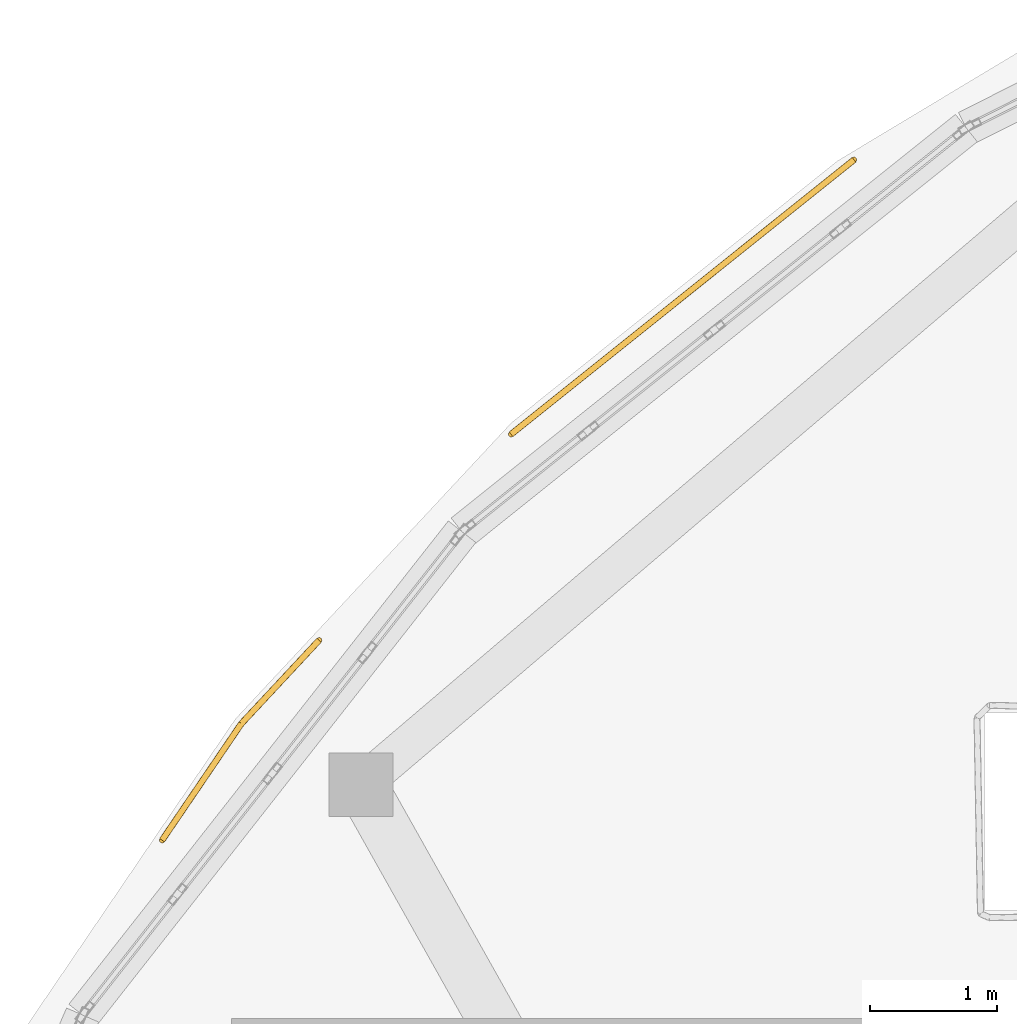
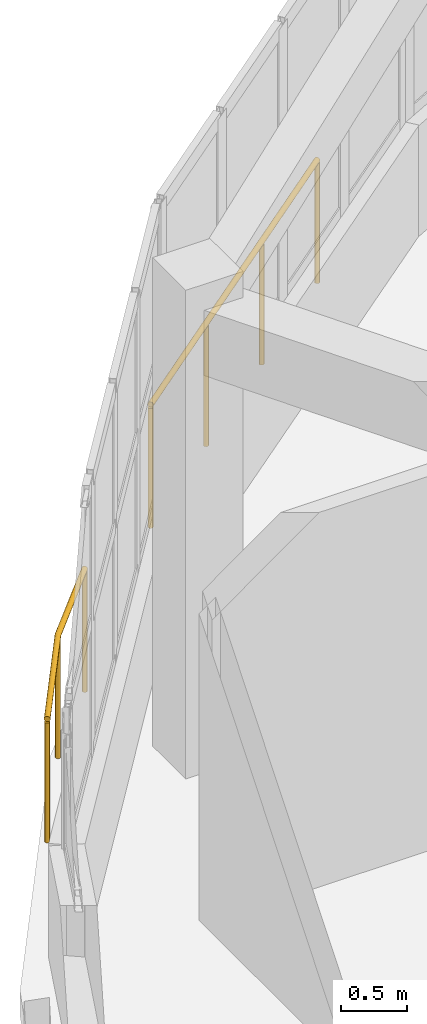
# One storey, part 38 of 38: 2 railings.
"""IFC4 building model written with IfcOpenShell, lengths in metres."""

from ifc_helpers import new_model, si_unit, direction, frame, origin, origin_2d, place, context, subcontext, project, spatial, circle, extrude, material, type_object, element, save


model = new_model("IFC4")

# Units and contexts
model_context = context("Model", 3, precision=1e-05, world=origin(), true_north=direction((0.0, 1.0)))
body_context = subcontext(model_context, "Body", "Model", "MODEL_VIEW")
ifc_project = project(units=[si_unit("LENGTHUNIT", "METRE"), si_unit("AREAUNIT", "SQUARE_METRE"), si_unit("VOLUMEUNIT", "CUBIC_METRE"), si_unit("PLANEANGLEUNIT", "RADIAN"), si_unit("MASSUNIT", "GRAM", prefix="KILO")], contexts=[model_context])

# Site, building, storey
site_placement = place(None, origin())
site = spatial("IfcSite", under=ifc_project, at=site_placement, CompositionType="ELEMENT")
building_placement = place(site_placement, origin())
building = spatial("IfcBuilding", under=site, at=building_placement, Name="Pelvatis Terrace Science Centre", CompositionType="ELEMENT")
storey_placement = place(building_placement, frame((0.0, 0.0, 24.300048828125)))
storey = spatial("IfcBuildingStorey", under=building, at=storey_placement, Name="L05", CompositionType="ELEMENT", Elevation=24.300048828125)

# Railings
ifc_material = material(Name="Bronze-anodised aluminium and laminated safety glass balustrade", Category="aluminium")
railing_type = type_object("IfcRailingType", Name="RLG-BAL-1150", PredefinedType="BALUSTRADE", material=ifc_material)
railing_1_placement = place(storey_placement, frame((87.255859375, 95.274658203125, 0.0)))
element("IfcRailing", 1, at=railing_1_placement, inside=storey, type_object=railing_type, Name="Perimeter edge balustrade RLG-EDG-L05-434", PredefinedType="BALUSTRADE", context=body_context, shape_type="SweptSolid", body=[
    extrude(circle(Radius=0.02392578125, at=origin_2d()), frame((0.0, 0.0, 1.1259765625), z_axis=(0.562147396897, 0.827037063355, 0.0), x_axis=(-0.827037063355, 0.562147396897, 0.0)), (0.0, 0.0, 1.0), 1.10888671875),
    extrude(circle(Radius=0.02392578125, at=origin_2d()), frame((0.623291015625, 0.9169921875, 1.1259765625), z_axis=(0.682027059055, 0.731326938323, 0.0), x_axis=(-0.731326938323, 0.682027059055, 0.0)), (0.0, 0.0, 1.0), 0.896240234375),
    extrude(circle(Radius=0.02099609375, at=origin_2d()), origin(), (0.0, 0.0, 1.0), 1.101806640625),
    extrude(circle(Radius=0.02099609375, at=origin_2d()), frame((0.623291015625, 0.9169921875, 0.0)), (0.0, 0.0, 1.0), 1.101806640625),
    extrude(circle(Radius=0.02099609375, at=origin_2d()), frame((1.234619140625, 1.572509765625, 0.0)), (0.0, 0.0, 1.0), 1.101806640625),
])
railing_2_placement = place(storey_placement, frame((90.000244140625, 98.46728515625, 0.0)))
element("IfcRailing", 2, at=railing_2_placement, inside=storey, type_object=railing_type, Name="Perimeter edge balustrade RLG-EDG-L05-435", PredefinedType="BALUSTRADE", context=body_context, shape_type="SweptSolid", body=[
    extrude(circle(Radius=0.02392578125, at=origin_2d()), frame((0.0, 0.0, 1.1259765625), z_axis=(0.780737810171, 0.624858761457, 0.0), x_axis=(-0.624858761457, 0.780737810171, 0.0)), (0.0, 0.0, 1.0), 3.455078125),
    extrude(circle(Radius=0.02099609375, at=origin_2d()), origin(), (0.0, 0.0, 1.0), 1.101806640625),
    extrude(circle(Radius=0.02099609375, at=origin_2d()), frame((0.899169921875, 0.7197265625, 0.0)), (0.0, 0.0, 1.0), 1.101806640625),
    extrude(circle(Radius=0.02099609375, at=origin_2d()), frame((1.79833984375, 1.439208984375, 0.0)), (0.0, 0.0, 1.0), 1.101806640625),
    extrude(circle(Radius=0.02099609375, at=origin_2d()), frame((2.697509765625, 2.158935546875, 0.0)), (0.0, 0.0, 1.0), 1.101806640625),
])

save(model, "model.ifc")
